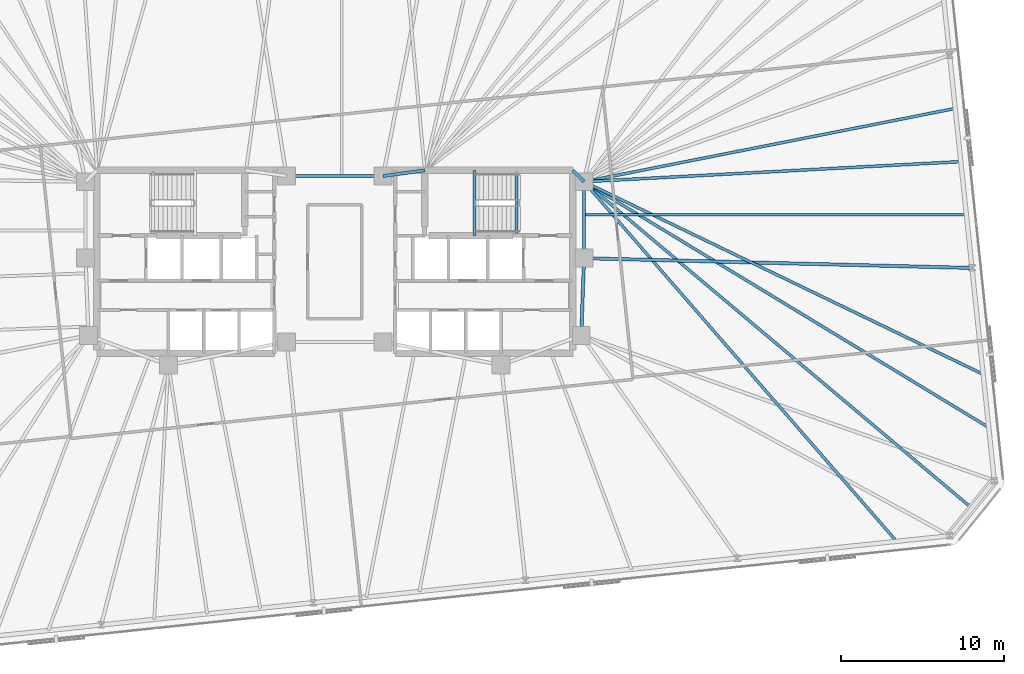
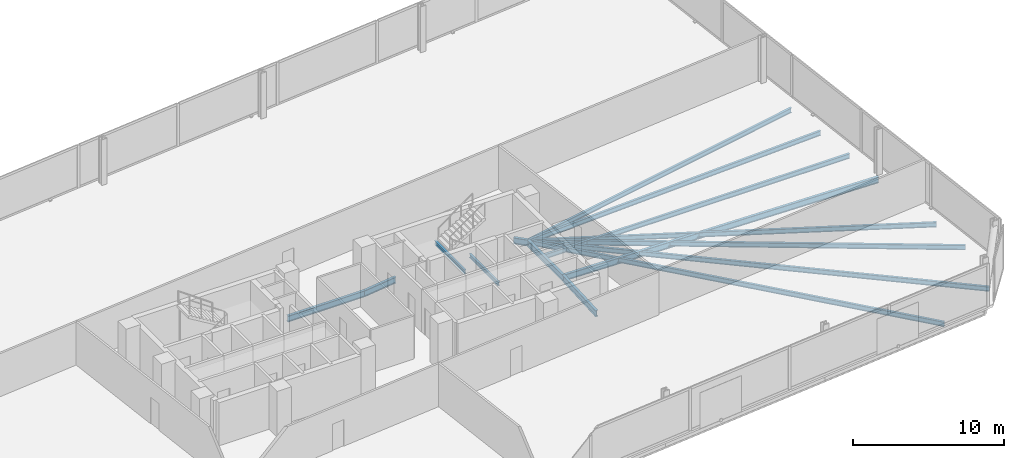
# One storey, part 8 of 17: 15 beams.
"""IFC4 building model written with IfcOpenShell, lengths in metres."""

from ifc_helpers import new_model, si_unit, direction, frame, origin, origin_2d, place, context, subcontext, project, spatial, i_section, extrude, material, material_profile, profile_set, type_object, element, save


model = new_model("IFC4")

# Units and contexts
model_context = context("Model", 3, precision=1e-05, world=origin(), true_north=direction((0.0, 1.0)))
body_context = subcontext(model_context, "Body", "Model", "MODEL_VIEW")
ifc_project = project(units=[si_unit("LENGTHUNIT", "METRE"), si_unit("AREAUNIT", "SQUARE_METRE"), si_unit("VOLUMEUNIT", "CUBIC_METRE"), si_unit("PLANEANGLEUNIT", "RADIAN"), si_unit("MASSUNIT", "GRAM", prefix="KILO")], contexts=[model_context])

# Site, building, storey
site_placement = place(None, origin())
site = spatial("IfcSite", under=ifc_project, at=site_placement, CompositionType="ELEMENT")
building_placement = place(site_placement, origin())
building = spatial("IfcBuilding", under=site, at=building_placement, Name="Menara Jurai Vektor", CompositionType="ELEMENT")
storey_placement = place(building_placement, frame((0.0, 0.0, 87.39990234375)))
storey = spatial("IfcBuildingStorey", under=building, at=storey_placement, Name="L21", CompositionType="ELEMENT", Elevation=87.39990234375)

# Beams
ifc_material = material(Name="Steel S355", Category="steel")
ifc_material_profile_1 = material_profile(ifc_material, i_section(OverallWidth=0.199951171875, OverallDepth=0.5, WebThickness=0.011962890625, FlangeThickness=0.02001953125, at=origin_2d()), Name="PG 500x200x96")
ifc_profile_set_1 = profile_set([ifc_material_profile_1], Name="Steel S355")
beam_type_1 = type_object("IfcBeamType", Name="STR-BM-500", PredefinedType="BEAM", material=ifc_profile_set_1)
beam_1_placement = place(storey_placement, frame((2.949951171875, 5.25, -0.474853515625), z_axis=(0.990706818608, 0.136014703483, 0.0), x_axis=(-0.136014703483, 0.990706818608, 0.0)))
element("IfcBeam", 1, at=beam_1_placement, inside=storey, type_object=beam_type_1, Name="Core Ring Header Girder L21-CHE-N1", PredefinedType="BEAM", context=body_context, shape_type="SweptSolid", body=[
    extrude(i_section(OverallWidth=0.199951171875, OverallDepth=0.5, WebThickness=0.011962890625, FlangeThickness=0.02001953125, at=origin_2d()), origin(), (0.0, 0.0, 1.0), 2.573974609375),
])
beam_2_placement = place(storey_placement, frame((14.56005859375, 5.60009765625, -0.474853515625), z_axis=(0.701871936926, -0.712303154672, 0.0), x_axis=(0.712303154672, 0.701871936926, 0.0)))
element("IfcBeam", 2, at=beam_2_placement, inside=storey, type_object=beam_type_1, Name="Core Ring Header Girder L21-CHE-N2", PredefinedType="BEAM", context=body_context, shape_type="SweptSolid", body=[
    extrude(i_section(OverallWidth=0.199951171875, OverallDepth=0.5, WebThickness=0.011962890625, FlangeThickness=0.02001953125, at=origin_2d()), origin(), (0.0, 0.0, 1.0), 0.98291015625),
])
beam_3_placement = place(storey_placement, frame((15.25, 0.219970703125, -0.474853515625), z_axis=(0.0, 1.0, 0.0), x_axis=(-1.0, 0.0, 0.0)))
element("IfcBeam", 3, at=beam_3_placement, inside=storey, type_object=beam_type_1, Name="Core Ring Header Girder L21-CHE-E1", PredefinedType="BEAM", context=body_context, shape_type="SweptSolid", body=[
    extrude(i_section(OverallWidth=0.199951171875, OverallDepth=0.5, WebThickness=0.011962890625, FlangeThickness=0.02001953125, at=origin_2d()), origin(), (0.0, 0.0, 1.0), 4.679931640625),
])
beam_4_placement = place(storey_placement, frame((15.080078125, -4.5, -0.474853515625), z_axis=(0.035977314146, 0.999352606874, 0.0), x_axis=(-0.999352606874, 0.035977314146, 0.0)))
element("IfcBeam", 4, at=beam_4_placement, inside=storey, type_object=beam_type_1, Name="Core Ring Header Girder L21-CHE-E2", PredefinedType="BEAM", context=body_context, shape_type="SweptSolid", body=[
    extrude(i_section(OverallWidth=0.199951171875, OverallDepth=0.5, WebThickness=0.011962890625, FlangeThickness=0.02001953125, at=origin_2d()), origin(), (0.0, 0.0, 1.0), 4.72314453125),
])
beam_5_placement = place(storey_placement, frame((-2.949951171875, 5.25, -0.474853515625), z_axis=(1.0, 0.0, 0.0), x_axis=(0.0, 1.0, 0.0)))
element("IfcBeam", 5, at=beam_5_placement, inside=storey, type_object=beam_type_1, Name="Core Ring Header Girder L21-CC-2", PredefinedType="BEAM", context=body_context, shape_type="SweptSolid", body=[
    extrude(i_section(OverallWidth=0.199951171875, OverallDepth=0.5, WebThickness=0.011962890625, FlangeThickness=0.02001953125, at=origin_2d()), origin(), (0.0, 0.0, 1.0), 5.89990234375),
])
beam_6_placement = place(storey_placement, frame((38.98828125, -0.375, -0.474853515625), z_axis=(-0.999686051749, 0.02505589629, 0.0), x_axis=(-0.02505589629, -0.999686051749, 0.0)))
element("IfcBeam", 6, at=beam_6_placement, inside=storey, type_object=beam_type_1, Name="Radial Floor Girder L21-E2", PredefinedType="BEAM", context=body_context, shape_type="SweptSolid", body=[
    extrude(i_section(OverallWidth=0.199951171875, OverallDepth=0.5, WebThickness=0.011962890625, FlangeThickness=0.02001953125, at=origin_2d()), origin(), (0.0, 0.0, 1.0), 23.745849609375),
])
ifc_material_profile_2 = material_profile(ifc_material, i_section(OverallWidth=0.175048828125, OverallDepth=0.3798828125, WebThickness=0.010009765625, FlangeThickness=0.014892578125, at=origin_2d()), Name="PG 380x175x58")
ifc_profile_set_2 = profile_set([ifc_material_profile_2], Name="Steel S355")
beam_type_2 = type_object("IfcBeamType", Name="STR-JS-380", PredefinedType="JOIST", material=ifc_profile_set_2)
beam_7_placement = place(storey_placement, frame((34.376953125, -17.106201171875, -0.414794921875), z_axis=(-0.656007047389, 0.754754763996, 0.0), x_axis=(-0.754754763996, -0.656007047389, 0.0)))
element("IfcBeam", 7, at=beam_7_placement, inside=storey, type_object=beam_type_2, Name="Radial Secondary Floor Joist L21-JS09", PredefinedType="JOIST", context=body_context, shape_type="SweptSolid", body=[
    extrude(i_section(OverallWidth=0.175048828125, OverallDepth=0.3798828125, WebThickness=0.010009765625, FlangeThickness=0.014892578125, at=origin_2d()), origin(), (0.0, 0.0, 1.0), 29.15673828125),
])
beam_8_placement = place(storey_placement, frame((38.989013671875, -15.076904296875, -0.414794921875), z_axis=(-0.765132553444, 0.643872794627, 0.0), x_axis=(-0.643872794627, -0.765132553444, 0.0)))
element("IfcBeam", 8, at=beam_8_placement, inside=storey, type_object=beam_type_2, Name="Radial Secondary Floor Joist L21-JS10", PredefinedType="JOIST", context=body_context, shape_type="SweptSolid", body=[
    extrude(i_section(OverallWidth=0.175048828125, OverallDepth=0.3798828125, WebThickness=0.010009765625, FlangeThickness=0.014892578125, at=origin_2d()), origin(), (0.0, 0.0, 1.0), 31.026123046875),
])
beam_9_placement = place(storey_placement, frame((40.01416015625, -10.13525390625, -0.414794921875), z_axis=(-0.854790986557, 0.518972416706, 0.0), x_axis=(-0.518972416706, -0.854790986557, 0.0)))
element("IfcBeam", 9, at=beam_9_placement, inside=storey, type_object=beam_type_2, Name="Radial Secondary Floor Joist L21-JS11", PredefinedType="JOIST", context=body_context, shape_type="SweptSolid", body=[
    extrude(i_section(OverallWidth=0.175048828125, OverallDepth=0.3798828125, WebThickness=0.010009765625, FlangeThickness=0.014892578125, at=origin_2d()), origin(), (0.0, 0.0, 1.0), 28.970947265625),
])
beam_10_placement = place(storey_placement, frame((39.672119140625, -6.8818359375, -0.414794921875), z_axis=(-0.90067072624, 0.434502293312, 0.0), x_axis=(-0.434502293312, -0.90067072624, 0.0)))
element("IfcBeam", 10, at=beam_10_placement, inside=storey, type_object=beam_type_2, Name="Radial Secondary Floor Joist L21-JS12", PredefinedType="JOIST", context=body_context, shape_type="SweptSolid", body=[
    extrude(i_section(OverallWidth=0.175048828125, OverallDepth=0.3798828125, WebThickness=0.010009765625, FlangeThickness=0.014892578125, at=origin_2d()), origin(), (0.0, 0.0, 1.0), 27.115478515625),
])
beam_11_placement = place(storey_placement, frame((38.646484375, 2.87841796875, -0.414794921875), z_axis=(-1.0, 0.0, 0.0), x_axis=(0.0, -1.0, 0.0)))
element("IfcBeam", 11, at=beam_11_placement, inside=storey, type_object=beam_type_2, Name="Radial Secondary Floor Joist L21-JS13", PredefinedType="JOIST", context=body_context, shape_type="SweptSolid", body=[
    extrude(i_section(OverallWidth=0.175048828125, OverallDepth=0.3798828125, WebThickness=0.010009765625, FlangeThickness=0.014892578125, at=origin_2d()), origin(), (0.0, 0.0, 1.0), 23.396484375),
])
beam_12_placement = place(storey_placement, frame((38.304443359375, 6.131591796875, -0.414794921875), z_axis=(-0.998575919005, -0.053349170414, 0.0), x_axis=(0.053349170414, -0.998575919005, 0.0)))
element("IfcBeam", 12, at=beam_12_placement, inside=storey, type_object=beam_type_2, Name="Radial Secondary Floor Joist L21-JS14", PredefinedType="JOIST", context=body_context, shape_type="SweptSolid", body=[
    extrude(i_section(OverallWidth=0.175048828125, OverallDepth=0.3798828125, WebThickness=0.010009765625, FlangeThickness=0.014892578125, at=origin_2d()), origin(), (0.0, 0.0, 1.0), 23.08740234375),
])
beam_13_placement = place(storey_placement, frame((37.96240234375, 9.385009765625, -0.414794921875), z_axis=(-0.981054359007, -0.193732662897, 0.0), x_axis=(0.193732662897, -0.981054359007, 0.0)))
element("IfcBeam", 13, at=beam_13_placement, inside=storey, type_object=beam_type_2, Name="Radial Secondary Floor Joist L21-JS15", PredefinedType="JOIST", context=body_context, shape_type="SweptSolid", body=[
    extrude(i_section(OverallWidth=0.175048828125, OverallDepth=0.3798828125, WebThickness=0.010009765625, FlangeThickness=0.014892578125, at=origin_2d()), origin(), (0.0, 0.0, 1.0), 23.151123046875),
])
ifc_material_profile_3 = material_profile(ifc_material, i_section(OverallWidth=0.1650390625, OverallDepth=0.302978515625, WebThickness=0.006103515625, FlangeThickness=0.010009765625, FilletRadius=0.009033203125, at=origin_2d()), Name="UKB 305x165x40")
ifc_profile_set_3 = profile_set([ifc_material_profile_3], Name="Steel S355")
beam_type_3 = type_object("IfcBeamType", Name="STR-LN-305", PredefinedType="LINTEL", material=ifc_profile_set_3)
beam_14_placement = place(storey_placement, frame((11.1201171875, 1.60009765625, -0.37646484375), z_axis=(0.0, 1.0, 0.0), x_axis=(-1.0, 0.0, 0.0)))
element("IfcBeam", 14, at=beam_14_placement, inside=storey, type_object=beam_type_3, Name="Stair Well Floor Trimmer ST2 L21", PredefinedType="LINTEL", context=body_context, shape_type="SweptSolid", body=[
    extrude(i_section(OverallWidth=0.1650390625, OverallDepth=0.302978515625, WebThickness=0.006103515625, FlangeThickness=0.010009765625, FilletRadius=0.009033203125, at=origin_2d()), origin(), (0.0, 0.0, 1.0), 3.81982421875),
])
beam_15_placement = place(storey_placement, frame((8.550048828125, 1.60009765625, 1.49853515625), z_axis=(0.0, 1.0, 0.0), x_axis=(-1.0, 0.0, 0.0)))
element("IfcBeam", 15, at=beam_15_placement, inside=storey, type_object=beam_type_3, Name="Stair Half-Landing Nosing Trimmer ST2-1 L21", PredefinedType="LINTEL", context=body_context, shape_type="SweptSolid", body=[
    extrude(i_section(OverallWidth=0.1650390625, OverallDepth=0.302978515625, WebThickness=0.006103515625, FlangeThickness=0.010009765625, FilletRadius=0.009033203125, at=origin_2d()), origin(), (0.0, 0.0, 1.0), 4.0),
])

save(model, "model.ifc")
